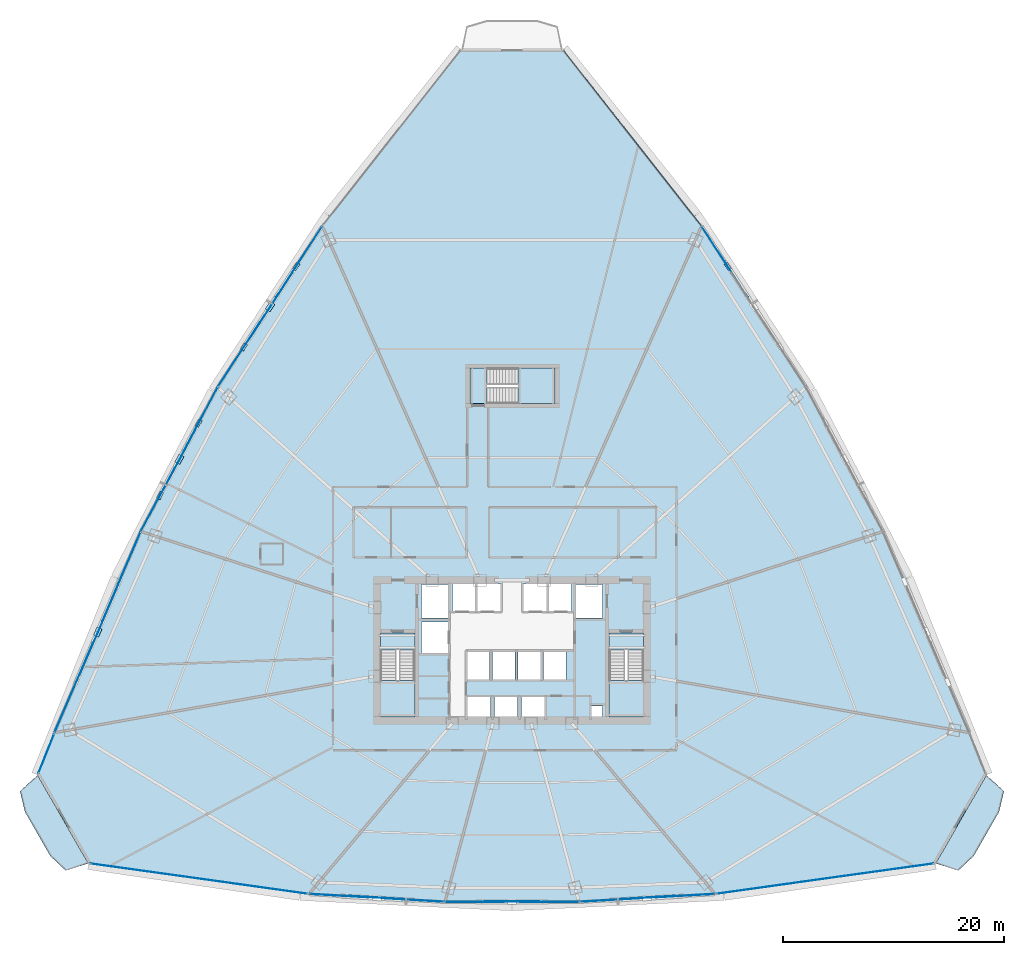
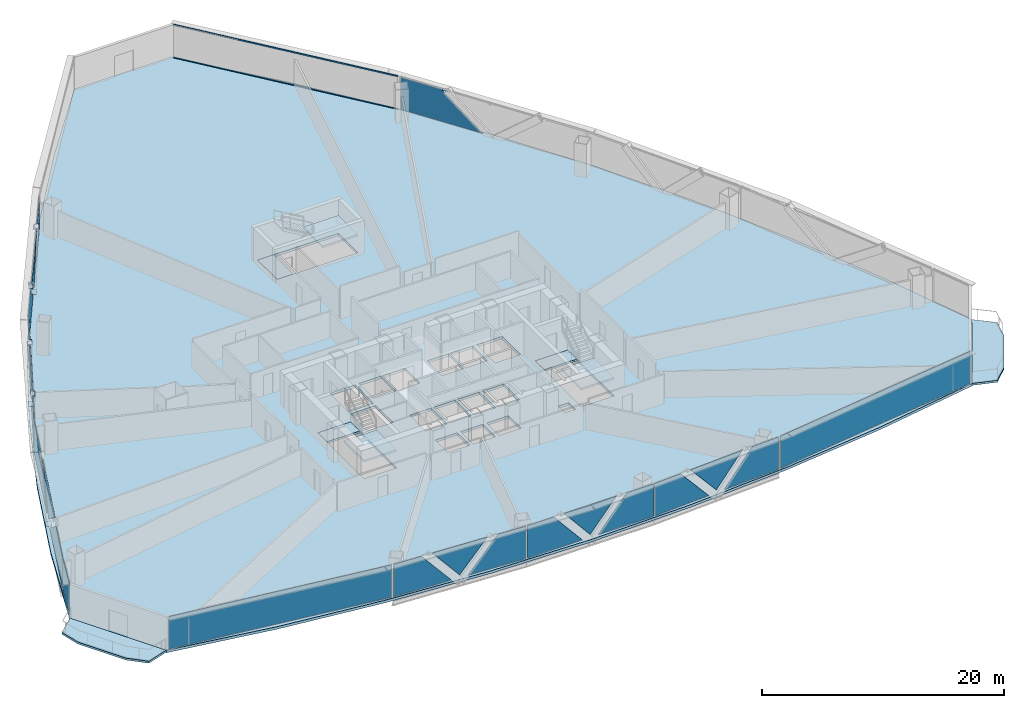
# One storey, part 27 of 37: 30 plates, 9 slabs, 2 members, 14 elements without a shape of their own.
"""IFC4 building model written with IfcOpenShell, lengths in metres."""

from ifc_helpers import new_model, si_unit, direction, frame, origin, origin_2d, place, context, subcontext, project, spatial, polyline, rectangle, hollow_rectangle, outline, extrude, source, transform, mapped, material, layer, layer_set, material_profile, profile_set, type_object, element, aggregate, save


model = new_model("IFC4")

# Units and contexts
model_context = context("Model", 3, precision=1e-05, world=origin(), true_north=direction((0.0, 1.0)))
body_context = subcontext(model_context, "Body", "Model", "MODEL_VIEW")
ifc_project = project(units=[si_unit("LENGTHUNIT", "METRE"), si_unit("AREAUNIT", "SQUARE_METRE"), si_unit("VOLUMEUNIT", "CUBIC_METRE"), si_unit("PLANEANGLEUNIT", "RADIAN"), si_unit("MASSUNIT", "GRAM", prefix="KILO"), si_unit("THERMODYNAMICTEMPERATUREUNIT", "KELVIN"), si_unit("POWERUNIT", "WATT")], contexts=[model_context])

# Site, building, storey
site_placement = place(None, origin())
site = spatial("IfcSite", under=ifc_project, at=site_placement, CompositionType="ELEMENT")
building_placement = place(site_placement, origin())
building = spatial("IfcBuilding", under=site, at=building_placement, Name="Yunzhuo Pagoda Commons", CompositionType="ELEMENT")
storey_placement = place(building_placement, frame((0.0, 0.0, 55.81005859375)))
storey = spatial("IfcBuildingStorey", under=building, at=storey_placement, Name="L14", CompositionType="ELEMENT", Elevation=55.81005859375)

# Curtain wall, members
ifc_material_1 = material(Name="Anodized aluminium 6063-T6", Category="aluminium")
ifc_layer_1 = layer(ifc_material_1, 0.1650390625)
ifc_layer_set_1 = layer_set([ifc_layer_1], Name="Anodized aluminium 6063-T6")
curtain_wall_type = type_object("IfcCurtainWallType", Name="CW-LOW Low-Zone Ribbon Curtain Wall", PredefinedType="NOTDEFINED", material=ifc_layer_set_1)
curtain_wall_1_placement = place(storey_placement, origin())
curtain_wall_1 = element("IfcCurtainWall", 1, at=curtain_wall_1_placement, inside=storey, type_object=curtain_wall_type, Name="L14 curtain wall CW-L14-F2B5", PredefinedType="NOTDEFINED")
ifc_material_profile = material_profile(ifc_material_1, hollow_rectangle(XDim=0.06005859375, YDim=0.139892578125, WallThickness=0.00341796875, at=origin_2d()), Name="Anodized aluminium 6063-T6")
ifc_profile_set = profile_set([ifc_material_profile], Name="Anodized aluminium 6063-T6")
member_type = type_object("IfcMemberType", Name="CW-LOW-T Transom RHS 140x60x3.5", PredefinedType="USERDEFINED", material=ifc_profile_set)
shared_shape_1 = source(origin(), body_context, "Body", "SweptSolid", [
    extrude(hollow_rectangle(XDim=0.06005859375, YDim=0.139892578125, WallThickness=0.00341796875, at=origin_2d()), origin(), (0.0, 0.0, 1.0), 20.00244140625),
])
member_1_placement = place(storey_placement, frame((65.085205078125, 72.378173828125, 0.030029296875), z_axis=(-0.618272093207, 0.785964133254, 0.0), x_axis=(-0.785964133254, -0.618272093207, 0.0)))
member_1 = element("IfcMember", 2, at=member_1_placement, type_object=member_type, Name="CW transom 1.1", ObjectType="TRANSOM", PredefinedType="USERDEFINED", context=body_context, shape_type="MappedRepresentation", body=[
    mapped(shared_shape_1, transform((0.0, 0.0, 0.0), scale=1.0)),
])
member_2_placement = place(storey_placement, frame((65.085205078125, 72.378173828125, 3.33984375), z_axis=(-0.618272093207, 0.785964133254, 0.0), x_axis=(-0.785964133254, -0.618272093207, 0.0)))
member_2 = element("IfcMember", 3, at=member_2_placement, type_object=member_type, Name="CW transom 1.2", ObjectType="TRANSOM", PredefinedType="USERDEFINED", context=body_context, shape_type="MappedRepresentation", body=[
    mapped(shared_shape_1, transform((0.0, 0.0, 0.0), scale=1.0)),
])
aggregate(curtain_wall_1, [member_1, member_2])

# Curtain wall, plates
curtain_wall_2_placement = place(storey_placement, origin())
curtain_wall_2 = element("IfcCurtainWall", 4, at=curtain_wall_2_placement, inside=storey, type_object=curtain_wall_type, Name="L14 curtain wall CW-L14-F1B2", PredefinedType="NOTDEFINED")
ifc_material_2 = material(Name="Tempered low-e double glazing", Category="glass")
ifc_layer_2 = layer(ifc_material_2, 0.028076171875)
ifc_layer_set_2 = layer_set([ifc_layer_2], Name="Tempered low-e double glazing")
plate_type_1 = type_object("IfcPlateType", Name="CW-LOW-P Low-E Double Glazing 28", PredefinedType="CURTAIN_PANEL", material=ifc_layer_set_2)
plate_1_placement = place(storey_placement, frame((32.342041015625, 11.642822265625, 1.68505859375), z_axis=(-0.057664069997, -0.998336043139, 0.0), x_axis=(0.998336043139, -0.057664069997, 0.0)))
plate_1 = element("IfcPlate", 5, at=plate_1_placement, type_object=plate_type_1, Name="CW panel 1.1 lite 1", PredefinedType="CURTAIN_PANEL", context=body_context, shape_type="SweptSolid", body=[
    extrude(outline(polyline([(-2.66845703125, -1.625), (2.66845703125, -1.625), (-0.094970703125, 1.625), (-2.66845703125, 1.625), (-2.66845703125, -1.625)])), origin(), (0.0, 0.0, 1.0), 0.028076171875),
])
plate_2_placement = place(storey_placement, frame((35.77734375, 11.474365234375, 1.818359375), z_axis=(-0.057664069997, -0.998336043139, 0.0), x_axis=(0.998336043139, -0.057664069997, 0.0)))
plate_2 = element("IfcPlate", 6, at=plate_2_placement, type_object=plate_type_1, Name="CW panel 1.1 lite 2", PredefinedType="CURTAIN_PANEL", context=body_context, shape_type="SweptSolid", body=[
    extrude(outline(polyline([(-2.53662109375, 1.49169921875), (0.0, -1.49169921875), (2.53662109375, 1.49169921875), (-2.53662109375, 1.49169921875)])), origin(), (0.0, 0.0, 1.0), 0.028076171875),
])
plate_3_placement = place(storey_placement, frame((39.209228515625, 11.24609375, 1.68505859375), z_axis=(-0.057664069997, -0.998336043139, 0.0), x_axis=(0.998336043139, -0.057664069997, 0.0)))
plate_3 = element("IfcPlate", 7, at=plate_3_placement, type_object=plate_type_1, Name="CW panel 1.1 lite 3", PredefinedType="CURTAIN_PANEL", context=body_context, shape_type="SweptSolid", body=[
    extrude(outline(polyline([(-2.66845703125, -1.625), (2.66845703125, -1.625), (2.66845703125, 1.625), (0.0947265625, 1.625), (-2.66845703125, -1.625)])), origin(), (0.0, 0.0, 1.0), 0.028076171875),
])
aggregate(curtain_wall_2, [plate_1, plate_2, plate_3])

curtain_wall_3_placement = place(storey_placement, origin())
curtain_wall_3 = element("IfcCurtainWall", 8, at=curtain_wall_3_placement, inside=storey, type_object=curtain_wall_type, Name="L14 curtain wall CW-L14-F1B3", PredefinedType="NOTDEFINED")
plate_4_placement = place(storey_placement, frame((44.6201171875, 11.0888671875, 1.68505859375), z_axis=(0.0, -1.0, 0.0), x_axis=(1.0, 0.0, 0.0)))
plate_4 = element("IfcPlate", 9, at=plate_4_placement, type_object=plate_type_1, Name="CW panel 1.1 lite 1", PredefinedType="CURTAIN_PANEL", context=body_context, shape_type="SweptSolid", body=[
    extrude(outline(polyline([(-2.61767578125, -1.625), (2.61767578125, -1.625), (-0.09619140625, 1.625), (-2.61767578125, 1.625), (-2.61767578125, -1.625)])), origin(), (0.0, 0.0, 1.0), 0.028076171875),
])
plate_5_placement = place(storey_placement, frame((48.0, 11.11865234375, 1.821533203125), z_axis=(0.0, -1.0, 0.0), x_axis=(1.0, 0.0, 0.0)))
plate_5 = element("IfcPlate", 10, at=plate_5_placement, type_object=plate_type_1, Name="CW panel 1.1 lite 2", PredefinedType="CURTAIN_PANEL", context=body_context, shape_type="SweptSolid", body=[
    extrude(outline(polyline([(-2.486083984375, 1.488525390625), (0.0, -1.488525390625), (2.486083984375, 1.488525390625), (-2.486083984375, 1.488525390625)])), origin(), (0.0, 0.0, 1.0), 0.028076171875),
])
plate_6_placement = place(storey_placement, frame((51.3798828125, 11.0888671875, 1.68505859375), z_axis=(0.0, -1.0, 0.0), x_axis=(1.0, 0.0, 0.0)))
plate_6 = element("IfcPlate", 11, at=plate_6_placement, type_object=plate_type_1, Name="CW panel 1.1 lite 3", PredefinedType="CURTAIN_PANEL", context=body_context, shape_type="SweptSolid", body=[
    extrude(outline(polyline([(-2.61767578125, -1.625), (2.61767578125, -1.625), (2.61767578125, 1.625), (0.09619140625, 1.625), (-2.61767578125, -1.625)])), origin(), (0.0, 0.0, 1.0), 0.028076171875),
])
aggregate(curtain_wall_3, [plate_4, plate_5, plate_6])

curtain_wall_4_placement = place(storey_placement, origin())
curtain_wall_4 = element("IfcCurtainWall", 12, at=curtain_wall_4_placement, inside=storey, type_object=curtain_wall_type, Name="L14 curtain wall CW-L14-F1B4", PredefinedType="NOTDEFINED")
plate_7_placement = place(storey_placement, frame((56.790771484375, 11.24609375, 1.68505859375), z_axis=(0.057664069997, -0.998336043139, 0.0), x_axis=(0.998336043139, 0.057664069997, 0.0)))
plate_7 = element("IfcPlate", 13, at=plate_7_placement, type_object=plate_type_1, Name="CW panel 1.1 lite 1", PredefinedType="CURTAIN_PANEL", context=body_context, shape_type="SweptSolid", body=[
    extrude(outline(polyline([(-2.66845703125, -1.625), (2.66845703125, -1.625), (-0.094970703125, 1.625), (-2.66845703125, 1.625), (-2.66845703125, -1.625)])), origin(), (0.0, 0.0, 1.0), 0.028076171875),
])
plate_8_placement = place(storey_placement, frame((60.22265625, 11.474365234375, 1.818359375), z_axis=(0.057664069997, -0.998336043139, 0.0), x_axis=(0.998336043139, 0.057664069997, 0.0)))
plate_8 = element("IfcPlate", 14, at=plate_8_placement, type_object=plate_type_1, Name="CW panel 1.1 lite 2", PredefinedType="CURTAIN_PANEL", context=body_context, shape_type="SweptSolid", body=[
    extrude(outline(polyline([(-2.53662109375, 1.49169921875), (0.0, -1.49169921875), (2.53662109375, 1.49169921875), (-2.53662109375, 1.49169921875)])), origin(), (0.0, 0.0, 1.0), 0.028076171875),
])
plate_9_placement = place(storey_placement, frame((63.657958984375, 11.642822265625, 1.68505859375), z_axis=(0.057664069997, -0.998336043139, 0.0), x_axis=(0.998336043139, 0.057664069997, 0.0)))
plate_9 = element("IfcPlate", 15, at=plate_9_placement, type_object=plate_type_1, Name="CW panel 1.1 lite 3", PredefinedType="CURTAIN_PANEL", context=body_context, shape_type="SweptSolid", body=[
    extrude(outline(polyline([(-2.66845703125, -1.625), (2.66845703125, -1.625), (2.66845703125, 1.625), (0.0947265625, 1.625), (-2.66845703125, -1.625)])), origin(), (0.0, 0.0, 1.0), 0.028076171875),
])
aggregate(curtain_wall_4, [plate_7, plate_8, plate_9])

# Curtain wall, plate
curtain_wall_5_placement = place(storey_placement, origin())
curtain_wall_5 = element("IfcCurtainWall", 16, at=curtain_wall_5_placement, inside=storey, type_object=curtain_wall_type, Name="L14 curtain wall CW-L14-F2B4", PredefinedType="NOTDEFINED")
plate_10_placement = place(storey_placement, frame((67.278564453125, 68.996826171875, 1.68505859375), z_axis=(0.838776712394, 0.544475552018, 0.0), x_axis=(-0.544475552018, 0.838776712394, 0.0)))
plate_10 = element("IfcPlate", 17, at=plate_10_placement, type_object=plate_type_1, Name="CW panel 1.1 lite 3", PredefinedType="CURTAIN_PANEL", context=body_context, shape_type="SweptSolid", body=[
    extrude(outline(polyline([(-3.825927734375, -1.625), (3.826171875, -1.625), (3.826171875, 1.625), (0.0654296875, 1.625), (-3.825927734375, -1.625)])), origin(), (0.0, 0.0, 1.0), 0.028076171875),
])
aggregate(curtain_wall_5, [plate_10])

# Curtain wall, plates
curtain_wall_6_placement = place(storey_placement, origin())
curtain_wall_6 = element("IfcCurtainWall", 18, at=curtain_wall_6_placement, inside=storey, type_object=curtain_wall_type, Name="L14 curtain wall CW-L14-F3B2", PredefinedType="NOTDEFINED")
plate_11_placement = place(storey_placement, frame((28.721435546875, 68.996826171875, 1.68505859375), z_axis=(-0.838776712394, 0.544475552018, 0.0), x_axis=(-0.544475552018, -0.838776712394, 0.0)))
plate_11 = element("IfcPlate", 19, at=plate_11_placement, type_object=plate_type_1, Name="CW panel 1.1 lite 1", PredefinedType="CURTAIN_PANEL", context=body_context, shape_type="SweptSolid", body=[
    extrude(outline(polyline([(-3.826171875, -1.625), (3.825927734375, -1.625), (-0.0654296875, 1.625), (-3.826171875, 1.625), (-3.826171875, -1.625)])), origin(), (0.0, 0.0, 1.0), 0.028076171875),
])
plate_12_placement = place(storey_placement, frame((26.132080078125, 64.952880859375, 1.7724609375), z_axis=(-0.838776712394, 0.544475552018, 0.0), x_axis=(-0.544475552018, -0.838776712394, 0.0)))
plate_12 = element("IfcPlate", 20, at=plate_12_placement, type_object=plate_type_1, Name="CW panel 1.1 lite 2", PredefinedType="CURTAIN_PANEL", context=body_context, shape_type="SweptSolid", body=[
    extrude(outline(polyline([(-3.681884765625, 1.537353515625), (0.0, -1.537353515625), (3.681884765625, 1.537353515625), (-3.681884765625, 1.537353515625)])), origin(), (0.0, 0.0, 1.0), 0.028076171875),
])
plate_13_placement = place(storey_placement, frame((23.4921875, 60.94140625, 1.68505859375), z_axis=(-0.838776712394, 0.544475552018, 0.0), x_axis=(-0.544475552018, -0.838776712394, 0.0)))
plate_13 = element("IfcPlate", 21, at=plate_13_placement, type_object=plate_type_1, Name="CW panel 1.1 lite 3", PredefinedType="CURTAIN_PANEL", context=body_context, shape_type="SweptSolid", body=[
    extrude(outline(polyline([(-3.825927734375, -1.625), (3.826171875, -1.625), (3.826171875, 1.625), (0.0654296875, 1.625), (-3.825927734375, -1.625)])), origin(), (0.0, 0.0, 1.0), 0.028076171875),
])
aggregate(curtain_wall_6, [plate_11, plate_12, plate_13])

curtain_wall_7_placement = place(storey_placement, origin())
curtain_wall_7 = element("IfcCurtainWall", 22, at=curtain_wall_7_placement, inside=storey, type_object=curtain_wall_type, Name="L14 curtain wall CW-L14-F3B3", PredefinedType="NOTDEFINED")
plate_14_placement = place(storey_placement, frame((19.822265625, 54.7666015625, 1.68505859375), z_axis=(-0.882469570104, 0.470369490762, 0.0), x_axis=(-0.470369490762, -0.882469570104, 0.0)))
plate_14 = element("IfcPlate", 23, at=plate_14_placement, type_object=plate_type_1, Name="CW panel 1.1 lite 1", PredefinedType="CURTAIN_PANEL", context=body_context, shape_type="SweptSolid", body=[
    extrude(outline(polyline([(-3.234619140625, -1.625), (3.234619140625, -1.625), (-0.07958984375, 1.625), (-3.234619140625, 1.625), (-3.234619140625, -1.625)])), origin(), (0.0, 0.0, 1.0), 0.028076171875),
])
plate_15_placement = place(storey_placement, frame((17.91845703125, 51.131103515625, 1.791015625), z_axis=(-0.882469570104, 0.470369490762, 0.0), x_axis=(-0.470369490762, -0.882469570104, 0.0)))
plate_15 = element("IfcPlate", 24, at=plate_15_placement, type_object=plate_type_1, Name="CW panel 1.1 lite 2", PredefinedType="CURTAIN_PANEL", context=body_context, shape_type="SweptSolid", body=[
    extrude(outline(polyline([(-3.097900390625, 1.518798828125), (0.0, -1.518798828125), (3.097900390625, 1.518798828125), (-3.097900390625, 1.518798828125)])), origin(), (0.0, 0.0, 1.0), 0.028076171875),
])
plate_16_placement = place(storey_placement, frame((15.961669921875, 47.523681640625, 1.68505859375), z_axis=(-0.882469570104, 0.470369490762, 0.0), x_axis=(-0.470369490762, -0.882469570104, 0.0)))
plate_16 = element("IfcPlate", 25, at=plate_16_placement, type_object=plate_type_1, Name="CW panel 1.1 lite 3", PredefinedType="CURTAIN_PANEL", context=body_context, shape_type="SweptSolid", body=[
    extrude(outline(polyline([(-3.234619140625, -1.625), (3.234619140625, -1.625), (3.234619140625, 1.625), (0.07958984375, 1.625), (-3.234619140625, -1.625)])), origin(), (0.0, 0.0, 1.0), 0.028076171875),
])
aggregate(curtain_wall_7, [plate_14, plate_15, plate_16])

curtain_wall_8_placement = place(storey_placement, origin())
curtain_wall_8 = element("IfcCurtainWall", 26, at=curtain_wall_8_placement, inside=storey, type_object=curtain_wall_type, Name="L14 curtain wall CW-L14-F3B4", PredefinedType="NOTDEFINED")
plate_17_placement = place(storey_placement, frame((12.65576171875, 40.523681640625, 1.68505859375), z_axis=(-0.918993139703, 0.394273520769, 0.0), x_axis=(-0.394273520769, -0.918993139703, 0.0)))
plate_17 = element("IfcPlate", 27, at=plate_17_placement, type_object=plate_type_1, Name="CW panel 1.1 lite 1", PredefinedType="CURTAIN_PANEL", context=body_context, shape_type="SweptSolid", body=[
    extrude(outline(polyline([(-4.384521484375, -1.625), (4.384521484375, -1.625), (-0.0537109375, 1.625), (-4.384521484375, 1.625), (-4.384521484375, -1.625)])), origin(), (0.0, 0.0, 1.0), 0.028076171875),
])
plate_18_placement = place(storey_placement, frame((10.52880859375, 35.489990234375, 1.760498046875), z_axis=(-0.918993139703, 0.394273520769, 0.0), x_axis=(-0.394273520769, -0.918993139703, 0.0)))
plate_18 = element("IfcPlate", 28, at=plate_18_placement, type_object=plate_type_1, Name="CW panel 1.1 lite 2", PredefinedType="CURTAIN_PANEL", context=body_context, shape_type="SweptSolid", body=[
    extrude(outline(polyline([(-4.23193359375, 1.549560546875), (0.0, -1.549560546875), (4.23193359375, 1.549560546875), (-4.23193359375, 1.549560546875)])), origin(), (0.0, 0.0, 1.0), 0.028076171875),
])
plate_19_placement = place(storey_placement, frame((8.3466796875, 30.479736328125, 1.68505859375), z_axis=(-0.918993139703, 0.394273520769, 0.0), x_axis=(-0.394273520769, -0.918993139703, 0.0)))
plate_19 = element("IfcPlate", 29, at=plate_19_placement, type_object=plate_type_1, Name="CW panel 1.1 lite 3", PredefinedType="CURTAIN_PANEL", context=body_context, shape_type="SweptSolid", body=[
    extrude(outline(polyline([(-4.384521484375, -1.625), (4.384521484375, -1.625), (4.384521484375, 1.625), (0.0537109375, 1.625), (-4.384521484375, -1.625)])), origin(), (0.0, 0.0, 1.0), 0.028076171875),
])
aggregate(curtain_wall_8, [plate_17, plate_18, plate_19])

# Slabs
ifc_material_3 = material(Name="Concrete C40", Category="concrete")
ifc_layer_3 = layer(ifc_material_3, 0.199951171875)
ifc_layer_set_3 = layer_set([ifc_layer_3], Name="Concrete C40")
slab_type_1 = type_object("IfcSlabType", Name="SL-BAL Vertex Balcony Deck Slab 200", PredefinedType="FLOOR", material=ifc_layer_set_3)
slab_1_placement = place(storey_placement, frame((0.0, 0.0, -0.199951171875)))
element("IfcSlab", 30, at=slab_1_placement, inside=storey, type_object=slab_type_1, Name="L14 corner balcony V1", PredefinedType="FLOOR", context=body_context, shape_type="SweptSolid", body=[
    extrude(outline(polyline([(5.04150390625, 22.5439453125), (9.62451171875, 14.561767578125), (7.58349609375, 13.908935546875), (6.184814453125, 15.240234375), (3.893310546875, 19.2314453125), (3.448486328125, 21.110595703125), (5.04150390625, 22.5439453125)])), origin(), (0.0, 0.0, 1.0), 0.199951171875),
])
slab_2_placement = place(storey_placement, frame((0.0, 0.0, -0.199951171875)))
element("IfcSlab", 31, at=slab_2_placement, inside=storey, type_object=slab_type_1, Name="L14 corner balcony V2", PredefinedType="FLOOR", context=body_context, shape_type="SweptSolid", body=[
    extrude(outline(polyline([(86.37548828125, 14.561767578125), (90.95849609375, 22.5439453125), (92.551513671875, 21.110595703125), (92.106689453125, 19.2314453125), (89.815185546875, 15.240234375), (88.41650390625, 13.908935546875), (86.37548828125, 14.561767578125)])), origin(), (0.0, 0.0, 1.0), 0.199951171875),
])

# Stair, slabs
stair_type_1 = type_object("IfcStairType", Name="ST-C1 Core Smokeproof Stair ST1", PredefinedType="HALF_TURN_STAIR", material=ifc_material_3)
stair_1_placement = place(storey_placement, origin())
stair_1 = element("IfcStair", 32, at=stair_1_placement, inside=storey, type_object=stair_type_1, Name="L14 Core smokeproof stair ST1", PredefinedType="HALF_TURN_STAIR")
ifc_layer_4 = layer(ifc_material_3, 0.199951171875)
ifc_layer_set_4 = layer_set([ifc_layer_4], Name="Concrete C40")
slab_type_2 = type_object("IfcSlabType", Name="SL-LND1 Stair Landing Slab 200", PredefinedType="LANDING", material=ifc_layer_set_4)
slab_3_placement = place(storey_placement, frame((0.0, 0.0, 1.614990234375)))
slab_3 = element("IfcSlab", 33, at=slab_3_placement, type_object=slab_type_2, Name="ST1 landing 1", PredefinedType="LANDING", context=body_context, shape_type="SweptSolid", body=[
    extrude(outline(polyline([(36.10009765625, 31.10009765625), (36.10009765625, 27.800048828125), (39.199951171875, 27.800048828125), (39.199951171875, 31.10009765625), (36.10009765625, 31.10009765625)])), origin(), (0.0, 0.0, 1.0), 0.199951171875),
])
slab_4_placement = place(storey_placement, frame((0.0, 0.0, -0.199951171875)))
slab_4 = element("IfcSlab", 34, at=slab_4_placement, type_object=slab_type_2, Name="ST1 floor landing L14", PredefinedType="LANDING", context=body_context, shape_type="SweptSolid", body=[
    extrude(outline(polyline([(36.10009765625, 35.39990234375), (36.10009765625, 33.89990234375), (39.199951171875, 33.89990234375), (39.199951171875, 35.39990234375), (36.10009765625, 35.39990234375)])), origin(), (0.0, 0.0, 1.0), 0.199951171875),
])
aggregate(stair_1, [slab_3, slab_4])

stair_type_2 = type_object("IfcStairType", Name="ST-C2 Core Smokeproof Stair ST2", PredefinedType="HALF_TURN_STAIR", material=ifc_material_3)
stair_2_placement = place(storey_placement, origin())
stair_2 = element("IfcStair", 35, at=stair_2_placement, inside=storey, type_object=stair_type_2, Name="L14 Core smokeproof stair ST2", PredefinedType="HALF_TURN_STAIR")
ifc_layer_5 = layer(ifc_material_3, 0.201904296875)
ifc_layer_set_5 = layer_set([ifc_layer_5], Name="Concrete C40")
slab_type_3 = type_object("IfcSlabType", Name="SL-LND2 Stair Landing Slab 202", PredefinedType="LANDING", material=ifc_layer_set_5)
slab_5_placement = place(storey_placement, frame((0.0, 0.0, 1.614990234375)))
slab_5 = element("IfcSlab", 36, at=slab_5_placement, type_object=slab_type_3, Name="ST2 landing 1", PredefinedType="LANDING", context=body_context, shape_type="SweptSolid", body=[
    extrude(outline(polyline([(56.800048828125, 31.10009765625), (56.800048828125, 27.800048828125), (59.89990234375, 27.800048828125), (59.89990234375, 31.10009765625), (56.800048828125, 31.10009765625)])), origin(), (0.0, 0.0, 1.0), 0.199951171875),
])
slab_6_placement = place(storey_placement, frame((0.0, 0.0, -0.199951171875)))
slab_6 = element("IfcSlab", 37, at=slab_6_placement, type_object=slab_type_3, Name="ST2 floor landing L14", PredefinedType="LANDING", context=body_context, shape_type="SweptSolid", body=[
    extrude(outline(polyline([(56.800048828125, 35.39990234375), (56.800048828125, 33.89990234375), (59.89990234375, 33.89990234375), (59.89990234375, 35.39990234375), (56.800048828125, 35.39990234375)])), origin(), (0.0, 0.0, 1.0), 0.199951171875),
])
aggregate(stair_2, [slab_5, slab_6])

stair_type_3 = type_object("IfcStairType", Name="ST-C3 North Tower Smokeproof Stair ST3", PredefinedType="HALF_TURN_STAIR", material=ifc_material_3)
stair_3_placement = place(storey_placement, origin())
stair_3 = element("IfcStair", 38, at=stair_3_placement, inside=storey, type_object=stair_type_3, Name="L14 North tower smokeproof stair ST3", PredefinedType="HALF_TURN_STAIR")
ifc_layer_6 = layer(ifc_material_3, 0.2041015625)
ifc_layer_set_6 = layer_set([ifc_layer_6], Name="Concrete C40")
slab_type_4 = type_object("IfcSlabType", Name="SL-LND5 North Landing Slab 204", PredefinedType="LANDING", material=ifc_layer_set_6)
slab_7_placement = place(storey_placement, frame((0.0, 0.0, 1.614990234375)))
slab_7 = element("IfcSlab", 39, at=slab_7_placement, type_object=slab_type_4, Name="ST3 landing 1", PredefinedType="LANDING", context=body_context, shape_type="SweptSolid", body=[
    extrude(outline(polyline([(48.550048828125, 56.199951171875), (51.89990234375, 56.199951171875), (51.89990234375, 59.39990234375), (48.550048828125, 59.39990234375), (48.550048828125, 56.199951171875)])), origin(), (0.0, 0.0, 1.0), 0.199951171875),
])
slab_8_placement = place(storey_placement, frame((0.0, 0.0, -0.199951171875)))
slab_8 = element("IfcSlab", 40, at=slab_8_placement, type_object=slab_type_4, Name="ST3 floor landing L14", PredefinedType="LANDING", context=body_context, shape_type="SweptSolid", body=[
    extrude(outline(polyline([(44.199951171875, 56.199951171875), (45.75, 56.199951171875), (45.75, 59.39990234375), (44.199951171875, 59.39990234375), (44.199951171875, 56.199951171875)])), origin(), (0.0, 0.0, 1.0), 0.199951171875),
])
aggregate(stair_3, [slab_7, slab_8])

# Slab
ifc_layer_7 = layer(ifc_material_3, 0.260009765625)
ifc_layer_set_7 = layer_set([ifc_layer_7], Name="Concrete C40")
slab_type_5 = type_object("IfcSlabType", Name="SL-TWR Typical Tower Floor Slab 260", PredefinedType="FLOOR", material=ifc_layer_set_7)
slab_9_placement = place(storey_placement, frame((0.0, 0.0, -0.260009765625)))
element("IfcSlab", 41, at=slab_9_placement, inside=storey, type_object=slab_type_5, Name="L14 structural floor slab", PredefinedType="FLOOR", context=body_context, shape_type="SweptSolid", body=[
    extrude(outline(polyline([(8.43115234375, 31.5869140625), (12.219482421875, 40.391845703125), (16.411376953125, 48.961669921875), (21.006103515625, 57.2958984375), (26.004150390625, 65.39501953125), (31.4052734375, 73.2587890625), (37.20947265625, 80.88720703125), (43.4169921875, 88.280517578125), (52.5830078125, 88.280517578125), (58.79052734375, 80.88720703125), (64.5947265625, 73.2587890625), (69.995849609375, 65.39501953125), (74.993896484375, 57.2958984375), (79.588623046875, 48.961669921875), (83.780517578125, 40.391845703125), (87.56884765625, 31.5869140625), (90.954345703125, 22.54638671875), (86.37109375, 14.564208984375), (76.7783203125, 12.930419921875), (67.185546875, 11.763427734375), (57.5927734375, 11.063232421875), (48.0, 10.829833984375), (38.4072265625, 11.063232421875), (28.814453125, 11.763427734375), (19.2216796875, 12.930419921875), (9.62890625, 14.564208984375), (5.045654296875, 22.54638671875), (8.43115234375, 31.5869140625)]), holes=[polyline([(46.050048828125, 27.60009765625), (46.050048828125, 29.64990234375), (43.949951171875, 29.64990234375), (43.949951171875, 27.60009765625), (46.050048828125, 27.60009765625)]), polyline([(48.5, 27.60009765625), (48.5, 29.64990234375), (46.39990234375, 29.64990234375), (46.39990234375, 27.60009765625), (48.5, 27.60009765625)]), polyline([(36.10009765625, 27.800048828125), (39.199951171875, 27.800048828125), (39.199951171875, 35.39990234375), (36.10009765625, 35.39990234375), (36.10009765625, 27.800048828125)]), polyline([(45.969970703125, 31.199951171875), (45.969970703125, 33.800048828125), (43.929931640625, 33.800048828125), (43.929931640625, 31.199951171875), (45.969970703125, 31.199951171875)]), polyline([(48.27001953125, 31.199951171875), (48.27001953125, 33.800048828125), (46.22998046875, 33.800048828125), (46.22998046875, 31.199951171875), (48.27001953125, 31.199951171875)]), polyline([(42.199951171875, 33.60009765625), (42.199951171875, 36.39990234375), (39.800048828125, 36.39990234375), (39.800048828125, 33.60009765625), (42.199951171875, 33.60009765625)]), polyline([(42.199951171875, 36.800048828125), (42.199951171875, 39.800048828125), (39.800048828125, 39.800048828125), (39.800048828125, 36.800048828125), (42.199951171875, 36.800048828125)]), polyline([(42.60009765625, 37.39990234375), (44.699951171875, 37.39990234375), (44.699951171875, 39.85009765625), (42.60009765625, 39.85009765625), (42.60009765625, 37.39990234375)]), polyline([(44.85009765625, 37.39990234375), (46.949951171875, 37.39990234375), (46.949951171875, 39.85009765625), (44.85009765625, 39.85009765625), (44.85009765625, 37.39990234375)]), polyline([(56.179931640625, 27.699951171875), (56.179931640625, 28.800048828125), (55.179931640625, 28.800048828125), (55.179931640625, 27.699951171875), (56.179931640625, 27.699951171875)]), polyline([(50.949951171875, 27.60009765625), (50.949951171875, 29.64990234375), (48.85009765625, 29.64990234375), (48.85009765625, 27.60009765625), (50.949951171875, 27.60009765625)]), polyline([(56.800048828125, 27.800048828125), (59.89990234375, 27.800048828125), (59.89990234375, 35.39990234375), (56.800048828125, 35.39990234375), (56.800048828125, 27.800048828125)]), polyline([(50.570068359375, 31.199951171875), (50.570068359375, 33.800048828125), (48.530029296875, 33.800048828125), (48.530029296875, 31.199951171875), (50.570068359375, 31.199951171875)]), polyline([(52.8701171875, 31.199951171875), (52.8701171875, 33.800048828125), (50.830078125, 33.800048828125), (50.830078125, 31.199951171875), (52.8701171875, 31.199951171875)]), polyline([(56.199951171875, 36.800048828125), (56.199951171875, 39.800048828125), (53.800048828125, 39.800048828125), (53.800048828125, 36.800048828125), (56.199951171875, 36.800048828125)]), polyline([(51.14990234375, 37.39990234375), (51.14990234375, 39.85009765625), (49.050048828125, 39.85009765625), (49.050048828125, 37.39990234375), (51.14990234375, 37.39990234375)]), polyline([(51.300048828125, 37.39990234375), (53.39990234375, 37.39990234375), (53.39990234375, 39.85009765625), (51.300048828125, 39.85009765625), (51.300048828125, 37.39990234375)]), polyline([(44.199951171875, 56.199951171875), (51.89990234375, 56.199951171875), (51.89990234375, 59.39990234375), (44.199951171875, 59.39990234375), (44.199951171875, 56.199951171875)])]), origin(), (0.0, 0.0, 1.0), 0.260009765625),
])

# Plates
ifc_material_4 = material(Name="Structural steel Q355B", Category="steel")
ifc_layer_8 = layer(ifc_material_4, 0.028076171875)
ifc_layer_set_8 = layer_set([ifc_layer_8], Name="Structural steel Q355B")
plate_type_2 = type_object("IfcPlateType", Name="SP-ND1 Lattice Node Cap Plate 800x500x28", PredefinedType="USERDEFINED", material=ifc_layer_set_8)
shared_shape_2 = source(origin(), body_context, "Body", "SweptSolid", [
    extrude(rectangle(XDim=0.800048828125, YDim=0.5, at=origin_2d()), origin(), (0.0, 0.0, 1.0), 0.028076171875),
])
for number, where, z_axis, x_axis, name in (
    (42, (26.09521484375, 64.976806640625, -0.27392578125), (0.0, 0.0, 1.0), (-0.544478011788, -0.838775115677, 0.0), "L14 diamond node plate F3.1A"),
    (43, (17.87939453125, 51.151611328125, -0.27392578125), (0.0, 0.0, 1.0), (-0.470365121964, -0.882471898725, 0.0), "L14 diamond node plate F3.2A"),
    (44, (10.48828125, 35.50732421875, -0.27392578125), (0.0, 0.0, 1.0), (-0.39427876382, -0.918990890271, 0.0), "L14 diamond node plate F3.3A"),
):
    element("IfcPlate", number, at=place(storey_placement, frame(where, z_axis=z_axis, x_axis=x_axis)), inside=storey, type_object=plate_type_2, Name=name, ObjectType="STIFFENER_PLATE", PredefinedType="USERDEFINED", context=body_context, shape_type="MappedRepresentation", body=[
        mapped(shared_shape_2, transform((0.0, 0.0, 0.0), scale=1.0)),
    ])
shared_shape_3 = source(origin(), body_context, "Body", "SweptSolid", [
    extrude(rectangle(XDim=0.699951171875, YDim=0.35009765625, at=origin_2d()), origin(), (0.0, 0.0, 1.0), 0.035888671875),
])
for number, where, z_axis, x_axis, name in (
    (45, (67.538330078125, 68.62255859375, 3.33203125), (0.0, 0.0, 1.0), (-0.544478011788, 0.838775115677, 0.0), "L14 setback lattice tie plate F2.3R"),
    (46, (28.461669921875, 68.62255859375, 3.33203125), (0.0, 0.0, 1.0), (-0.544478011788, -0.838775115677, 0.0), "L14 setback lattice tie plate F3.1L"),
    (47, (23.728515625, 61.330810546875, 3.33203125), (0.0, 0.0, 1.0), (-0.544478011788, -0.838775115677, 0.0), "L14 setback lattice tie plate F3.1R"),
    (48, (19.62060546875, 54.41845703125, 3.33203125), (0.0, 0.0, 1.0), (-0.470365121964, -0.882471898725, 0.0), "L14 setback lattice tie plate F3.2L"),
    (49, (16.13818359375, 47.885009765625, 3.33203125), (0.0, 0.0, 1.0), (-0.470365121964, -0.882471898725, 0.0), "L14 setback lattice tie plate F3.2R"),
):
    element("IfcPlate", number, at=place(storey_placement, frame(where, z_axis=z_axis, x_axis=x_axis)), inside=storey, type_object=plate_type_2, Name=name, ObjectType="STIFFENER_PLATE", PredefinedType="USERDEFINED", context=body_context, shape_type="MappedRepresentation", body=[
        mapped(shared_shape_3, transform((0.0, 0.0, 0.0), scale=1.0)),
    ])

# Curtain wall, plate
curtain_wall_9_placement = place(storey_placement, origin())
curtain_wall_9 = element("IfcCurtainWall", 50, at=curtain_wall_9_placement, inside=storey, type_object=curtain_wall_type, Name="L14 curtain wall CW-L14-F1B1", PredefinedType="NOTDEFINED")
shared_shape_4 = source(origin(), body_context, "Body", "SweptSolid", [
    extrude(rectangle(XDim=19.809814453125, YDim=0.028076171875, at=origin_2d()), origin(), (0.0, 0.0, 1.0), 3.25),
])
plate_20_placement = place(storey_placement, frame((19.663330078125, 13.171630859375, 0.06005859375), z_axis=(0.0, 0.0, 1.0), x_axis=(0.990445462871, -0.13790498569, 0.0)))
plate_20 = element("IfcPlate", 51, at=plate_20_placement, type_object=plate_type_1, Name="CW panel 1.1", PredefinedType="CURTAIN_PANEL", context=body_context, shape_type="MappedRepresentation", body=[
    mapped(shared_shape_4, transform((0.0, 0.0, 0.0), scale=1.0)),
])
aggregate(curtain_wall_9, [plate_20])

curtain_wall_10_placement = place(storey_placement, origin())
curtain_wall_10 = element("IfcCurtainWall", 52, at=curtain_wall_10_placement, inside=storey, type_object=curtain_wall_type, Name="L14 curtain wall CW-L14-F1B5", PredefinedType="NOTDEFINED")
plate_21_placement = place(storey_placement, frame((76.336669921875, 13.171630859375, 0.06005859375), z_axis=(0.0, 0.0, 1.0), x_axis=(0.990445462871, 0.13790498569, 0.0)))
plate_21 = element("IfcPlate", 53, at=plate_21_placement, type_object=plate_type_1, Name="CW panel 1.1", PredefinedType="CURTAIN_PANEL", context=body_context, shape_type="MappedRepresentation", body=[
    mapped(shared_shape_4, transform((0.0, 0.0, 0.0), scale=1.0)),
])
aggregate(curtain_wall_10, [plate_21])

curtain_wall_11_placement = place(storey_placement, origin())
curtain_wall_11 = element("IfcCurtainWall", 54, at=curtain_wall_11_placement, inside=storey, type_object=curtain_wall_type, Name="L14 curtain wall CW-L14-F3B5", PredefinedType="NOTDEFINED")
shared_shape_5 = source(origin(), body_context, "Body", "SweptSolid", [
    extrude(rectangle(XDim=3.7783203125, YDim=0.028076171875, at=origin_2d()), origin(), (0.0, 0.0, 1.0), 3.25),
])
plate_22_placement = place(storey_placement, frame((5.83154296875, 24.510009765625, 0.06005859375), z_axis=(0.0, 0.0, 1.0), x_axis=(-0.368614284542, -0.929582438104, 0.0)))
plate_22 = element("IfcPlate", 55, at=plate_22_placement, type_object=plate_type_1, Name="CW panel 1.1", PredefinedType="CURTAIN_PANEL", context=body_context, shape_type="MappedRepresentation", body=[
    mapped(shared_shape_5, transform((0.0, 0.0, 0.0), scale=1.0)),
])
aggregate(curtain_wall_11, [plate_22])

save(model, "model.ifc")
